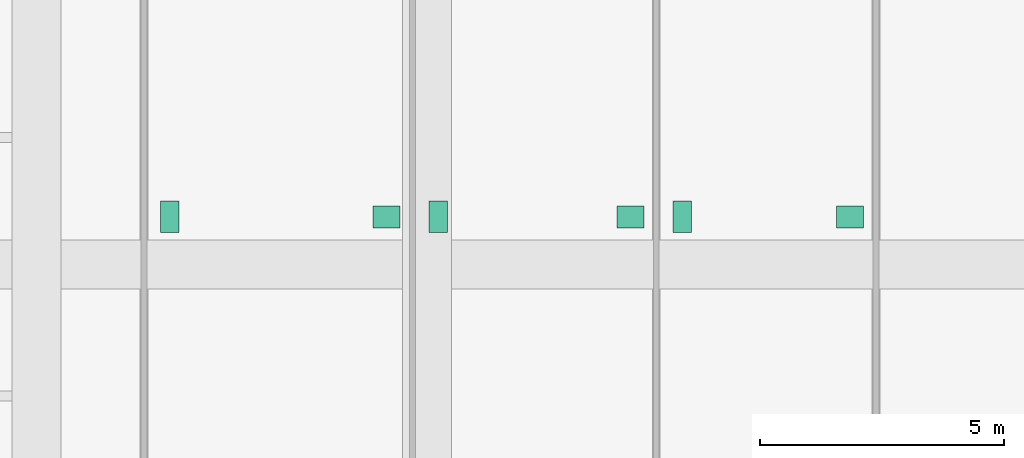
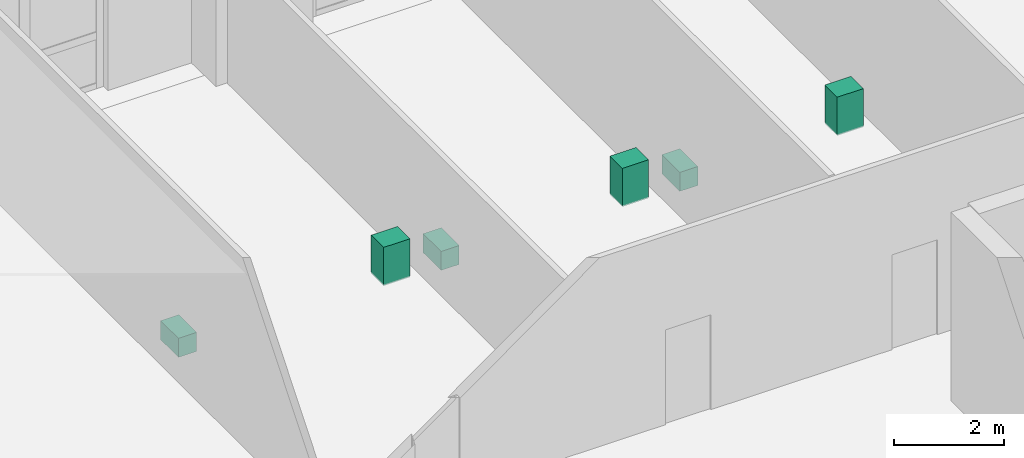
# One storey, part 15 of 15: 6 sanitary terminals.
"""IFC4 building model written with IfcOpenShell, lengths in metres."""

from ifc_helpers import new_model, si_unit, direction, frame, origin, origin_2d, place, context, subcontext, project, spatial, rectangle, extrude, material, type_object, element, save


model = new_model("IFC4")

# Units and contexts
model_context = context("Model", 3, precision=1e-05, world=origin(), true_north=direction((0.0, 1.0)))
body_context = subcontext(model_context, "Body", "Model", "MODEL_VIEW")
ifc_project = project(units=[si_unit("LENGTHUNIT", "METRE"), si_unit("AREAUNIT", "SQUARE_METRE"), si_unit("VOLUMEUNIT", "CUBIC_METRE"), si_unit("PLANEANGLEUNIT", "RADIAN"), si_unit("MASSUNIT", "GRAM", prefix="KILO")], contexts=[model_context])

# Site, building, storey
site_placement = place(None, origin())
site = spatial("IfcSite", under=ifc_project, at=site_placement, CompositionType="ELEMENT")
building_placement = place(site_placement, origin())
building = spatial("IfcBuilding", under=site, at=building_placement, Name="Kranthara Brick Stack", CompositionType="ELEMENT")
storey_placement = place(building_placement, frame((0.0, 0.0, 5.39990234375)))
storey = spatial("IfcBuildingStorey", under=building, at=storey_placement, Name="L01", CompositionType="ELEMENT", Elevation=5.39990234375)

# Sanitary terminals
ifc_material_1 = material(Name="Vitreous china sanitary porcelain", Category="other")
sanitary_terminal_type_1 = type_object("IfcSanitaryTerminalType", Name="SAN-BASIN", PredefinedType="WASHHANDBASIN", material=ifc_material_1)
for number, where, z_axis, x_axis, name in (
    (1, (19.969970703125, 44.875, 0.0), (0.0, 0.0, 1.0), (1.0, 0.0, 0.0), "L01 Washbasin 4"),
    (2, (24.969970703125, 44.875, 0.0), (0.0, 0.0, 1.0), (1.0, 0.0, 0.0), "L01 Washbasin 5"),
    (3, (29.469970703125, 44.875, 0.0), (0.0, 0.0, 1.0), (1.0, 0.0, 0.0), "L01 Washbasin 6"),
):
    element("IfcSanitaryTerminal", number, at=place(storey_placement, frame(where, z_axis=z_axis, x_axis=x_axis)), inside=storey, type_object=sanitary_terminal_type_1, Name=name, PredefinedType="WASHHANDBASIN", context=body_context, shape_type="SweptSolid", body=[
        extrude(rectangle(XDim=0.550048828125, YDim=0.449951171875, at=origin_2d()), origin(), (0.0, 0.0, 1.0), 0.85009765625),
    ])
ifc_material_2 = material(Name="Vitreous china sanitary porcelain", Category="other")
sanitary_terminal_type_2 = type_object("IfcSanitaryTerminalType", Name="SAN-WC-PAN", PredefinedType="TOILETPAN", material=ifc_material_2)
for number, where, z_axis, x_axis, name in (
    (4, (15.530029296875, 44.875, 0.000244140625), (0.0, 0.0, 1.0), (1.0, 0.0, 0.0), "L01 WC Pan 4"),
    (5, (21.030029296875, 44.875, 0.000244140625), (0.0, 0.0, 1.0), (1.0, 0.0, 0.0), "L01 WC Pan 5"),
    (6, (26.030029296875, 44.875, 0.000244140625), (0.0, 0.0, 1.0), (1.0, 0.0, 0.0), "L01 WC Pan 6"),
):
    element("IfcSanitaryTerminal", number, at=place(storey_placement, frame(where, z_axis=z_axis, x_axis=x_axis)), inside=storey, type_object=sanitary_terminal_type_2, Name=name, PredefinedType="TOILETPAN", context=body_context, shape_type="SweptSolid", body=[
        extrude(rectangle(XDim=0.3798828125, YDim=0.64990234375, at=origin_2d()), origin(), (0.0, 0.0, 1.0), 0.419921875),
    ])

save(model, "model.ifc")
